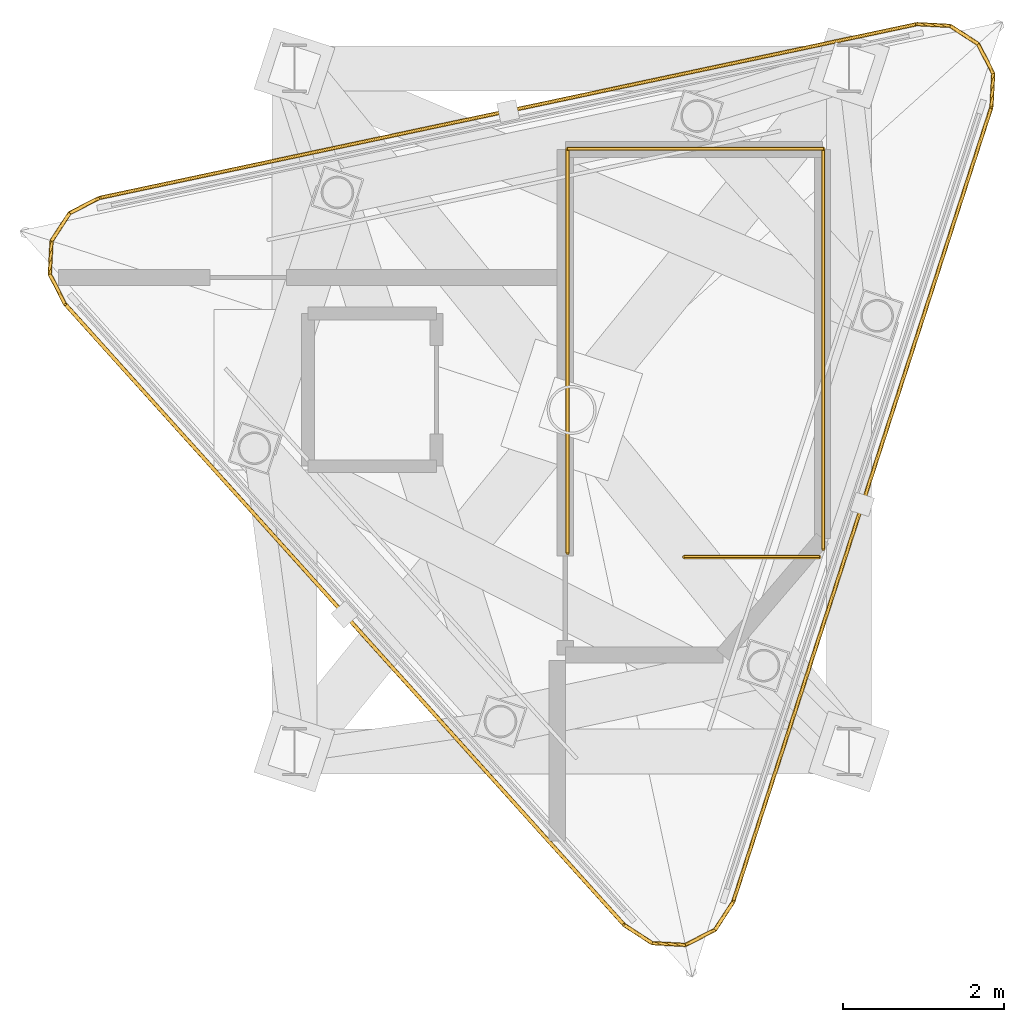
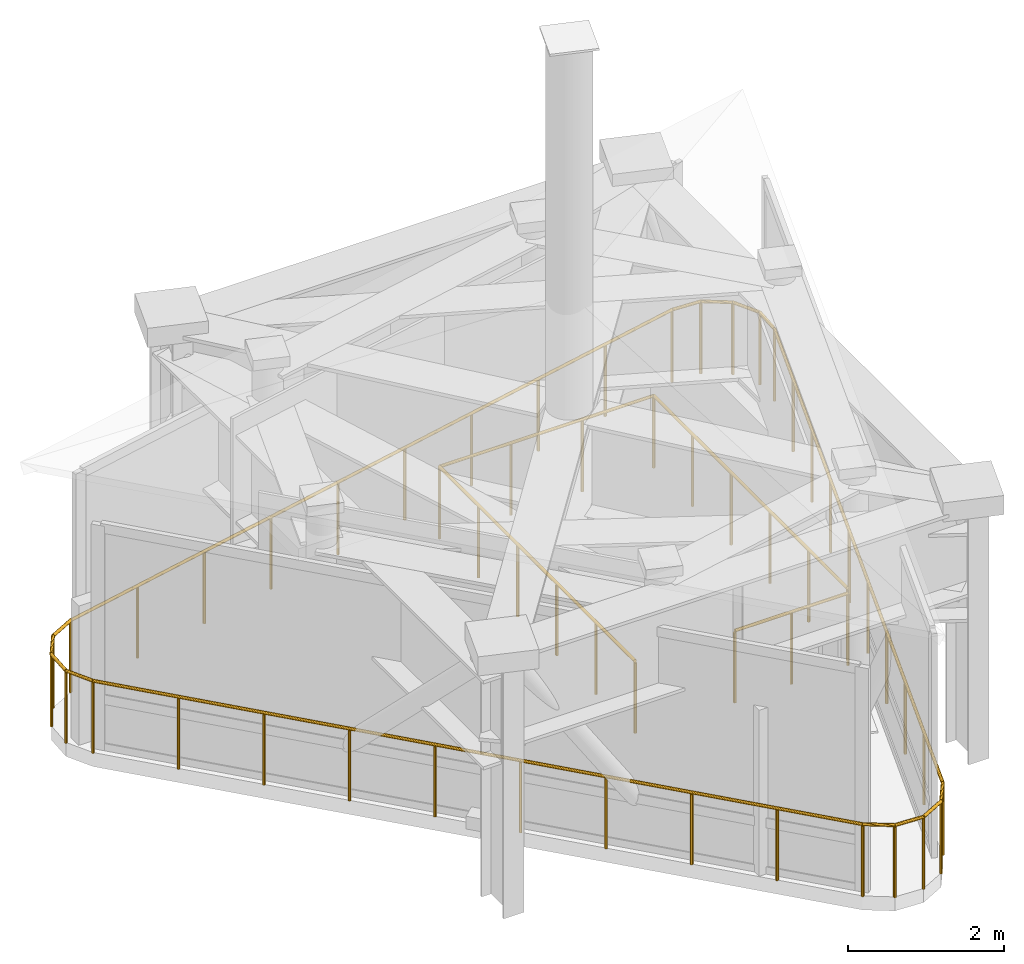
# One storey, part 3 of 3: 19 railings.
"""IFC4 building model written with IfcOpenShell, lengths in metres."""

from ifc_helpers import new_model, si_unit, direction, frame, origin, origin_2d, place, context, subcontext, project, spatial, circle, extrude, material, layer, layer_set, type_object, element, save


model = new_model("IFC4")

# Units and contexts
model_context = context("Model", 3, precision=1e-05, world=origin(), true_north=direction((0.0, 1.0)))
body_context = subcontext(model_context, "Body", "Model", "MODEL_VIEW")
ifc_project = project(units=[si_unit("LENGTHUNIT", "METRE"), si_unit("AREAUNIT", "SQUARE_METRE"), si_unit("VOLUMEUNIT", "CUBIC_METRE"), si_unit("PLANEANGLEUNIT", "RADIAN"), si_unit("MASSUNIT", "GRAM", prefix="KILO")], contexts=[model_context])

# Site, building, storey
site_placement = place(None, origin())
site = spatial("IfcSite", under=ifc_project, at=site_placement, CompositionType="ELEMENT")
building_placement = place(site_placement, origin())
building = spatial("IfcBuilding", under=site, at=building_placement, Name="Terralouvre Media Tower", CompositionType="ELEMENT")
storey_placement = place(building_placement, frame((0.0, 0.0, 339.199951171875)))
storey = spatial("IfcBuildingStorey", under=building, at=storey_placement, Name="L87", CompositionType="ELEMENT", Elevation=339.199951171875)

# Railings
ifc_material_1 = material(Name="Stainless steel 316 handrail and balustrade", Category="steel")
ifc_layer_1 = layer(ifc_material_1, 0.06005859375, Name="Roof Edge Safety Guardrail GR-ROOF1")
ifc_layer_set_1 = layer_set([ifc_layer_1], Name="Stainless steel 316 handrail and balustrade")
railing_type_1 = type_object("IfcRailingType", Name="Roof Edge Safety Guardrail GR-ROOF1", PredefinedType="GUARDRAIL", material=ifc_layer_set_1)
railing_1_placement = place(storey_placement, frame((0.65380859375, -6.408447265625, 0.0)))
element("IfcRailing", 1, at=railing_1_placement, inside=storey, type_object=railing_type_1, Name="L87 Crown Catwalk Safety Guardrail Edge 01", PredefinedType="GUARDRAIL", context=body_context, shape_type="SweptSolid", body=[
    extrude(circle(Radius=0.02392578125, at=origin_2d()), frame((0.0, 0.0, 1.1259765625), z_axis=(0.83869937431, -0.544594674535, 0.0), x_axis=(0.544594674535, 0.83869937431, 0.0)), (0.0, 0.0, 1.0), 0.414306640625),
    extrude(circle(Radius=0.02099609375, at=origin_2d()), origin(), (0.0, 0.0, 1.0), 1.101806640625),
    extrude(circle(Radius=0.02099609375, at=origin_2d()), frame((0.347412109375, -0.2255859375, 0.0)), (0.0, 0.0, 1.0), 1.101806640625),
])
railing_2_placement = place(storey_placement, frame((1.001220703125, -6.634033203125, 0.0)))
element("IfcRailing", 2, at=railing_2_placement, inside=storey, type_object=railing_type_1, Name="L87 Crown Catwalk Safety Guardrail Edge 02", PredefinedType="GUARDRAIL", context=body_context, shape_type="SweptSolid", body=[
    extrude(circle(Radius=0.02392578125, at=origin_2d()), frame((0.0, 0.0, 1.1259765625), z_axis=(0.998622710425, -0.05246601017, 0.0), x_axis=(0.05246601017, 0.998622710425, 0.0)), (0.0, 0.0, 1.0), 0.4140625),
    extrude(circle(Radius=0.02099609375, at=origin_2d()), origin(), (0.0, 0.0, 1.0), 1.101806640625),
    extrude(circle(Radius=0.02099609375, at=origin_2d()), frame((0.41357421875, -0.021728515625, 0.0)), (0.0, 0.0, 1.0), 1.101806640625),
])
railing_3_placement = place(storey_placement, frame((1.414794921875, -6.65576171875, 0.0)))
element("IfcRailing", 3, at=railing_3_placement, inside=storey, type_object=railing_type_1, Name="L87 Crown Catwalk Safety Guardrail Edge 03", PredefinedType="GUARDRAIL", context=body_context, shape_type="SweptSolid", body=[
    extrude(circle(Radius=0.02392578125, at=origin_2d()), frame((0.0, 0.0, 1.1259765625), z_axis=(0.890980989811, 0.454040610294, 0.0), x_axis=(-0.454040610294, 0.890980989811, 0.0)), (0.0, 0.0, 1.0), 0.4140625),
    extrude(circle(Radius=0.02099609375, at=origin_2d()), origin(), (0.0, 0.0, 1.0), 1.101806640625),
    extrude(circle(Radius=0.02099609375, at=origin_2d()), frame((0.368896484375, 0.18798828125, 0.0)), (0.0, 0.0, 1.0), 1.101806640625),
])
railing_4_placement = place(storey_placement, frame((1.78369140625, -6.4677734375, 0.0)))
element("IfcRailing", 4, at=railing_4_placement, inside=storey, type_object=railing_type_1, Name="L87 Crown Catwalk Safety Guardrail Edge 04", PredefinedType="GUARDRAIL", context=body_context, shape_type="SweptSolid", body=[
    extrude(circle(Radius=0.02392578125, at=origin_2d()), frame((0.0, 0.0, 1.1259765625), z_axis=(0.544594674535, 0.83869937431, 0.0), x_axis=(-0.83869937431, 0.544594674535, 0.0)), (0.0, 0.0, 1.0), 0.414306640625),
    extrude(circle(Radius=0.02099609375, at=origin_2d()), origin(), (0.0, 0.0, 1.0), 1.101806640625),
    extrude(circle(Radius=0.02099609375, at=origin_2d()), frame((0.2255859375, 0.347412109375, 0.0)), (0.0, 0.0, 1.0), 1.101806640625),
])
railing_5_placement = place(storey_placement, frame((2.00927734375, -6.120361328125, 0.0)))
element("IfcRailing", 5, at=railing_5_placement, inside=storey, type_object=railing_type_1, Name="L87 Crown Catwalk Safety Guardrail Edge 05", PredefinedType="GUARDRAIL", context=body_context, shape_type="SweptSolid", body=[
    extrude(circle(Radius=0.02392578125, at=origin_2d()), frame((0.0, 0.0, 1.1259765625), z_axis=(0.3090069794, 0.951059770299, 0.0), x_axis=(-0.951059770299, 0.3090069794, 0.0)), (0.0, 0.0, 1.0), 10.39990234375),
    extrude(circle(Radius=0.02099609375, at=origin_2d()), origin(), (0.0, 0.0, 1.0), 1.101806640625),
    extrude(circle(Radius=0.02099609375, at=origin_2d()), frame((0.357177734375, 1.098876953125, 0.0)), (0.0, 0.0, 1.0), 1.101806640625),
    extrude(circle(Radius=0.02099609375, at=origin_2d()), frame((0.714111328125, 2.197998046875, 0.0)), (0.0, 0.0, 1.0), 1.101806640625),
    extrude(circle(Radius=0.02099609375, at=origin_2d()), frame((1.0712890625, 3.296875, 0.0)), (0.0, 0.0, 1.0), 1.101806640625),
    extrude(circle(Radius=0.02099609375, at=origin_2d()), frame((1.42822265625, 4.39599609375, 0.0)), (0.0, 0.0, 1.0), 1.101806640625),
    extrude(circle(Radius=0.02099609375, at=origin_2d()), frame((1.785400390625, 5.494873046875, 0.0)), (0.0, 0.0, 1.0), 1.101806640625),
    extrude(circle(Radius=0.02099609375, at=origin_2d()), frame((2.142333984375, 6.593994140625, 0.0)), (0.0, 0.0, 1.0), 1.101806640625),
    extrude(circle(Radius=0.02099609375, at=origin_2d()), frame((2.49951171875, 7.69287109375, 0.0)), (0.0, 0.0, 1.0), 1.101806640625),
    extrude(circle(Radius=0.02099609375, at=origin_2d()), frame((2.8564453125, 8.7919921875, 0.0)), (0.0, 0.0, 1.0), 1.101806640625),
    extrude(circle(Radius=0.02099609375, at=origin_2d()), frame((3.213623046875, 9.890869140625, 0.0)), (0.0, 0.0, 1.0), 1.101806640625),
])
railing_6_placement = place(storey_placement, frame((5.222900390625, 3.7705078125, 0.0)))
element("IfcRailing", 6, at=railing_6_placement, inside=storey, type_object=railing_type_1, Name="L87 Crown Catwalk Safety Guardrail Edge 06", PredefinedType="GUARDRAIL", context=body_context, shape_type="SweptSolid", body=[
    extrude(circle(Radius=0.02392578125, at=origin_2d()), frame((0.0, 0.0, 1.1259765625), z_axis=(0.05246601017, 0.998622710425, 0.0), x_axis=(-0.998622710425, 0.05246601017, 0.0)), (0.0, 0.0, 1.0), 0.4140625),
    extrude(circle(Radius=0.02099609375, at=origin_2d()), origin(), (0.0, 0.0, 1.0), 1.101806640625),
    extrude(circle(Radius=0.02099609375, at=origin_2d()), frame((0.021728515625, 0.41357421875, 0.0)), (0.0, 0.0, 1.0), 1.101806640625),
])
railing_7_placement = place(storey_placement, frame((5.24462890625, 4.18408203125, 0.0)))
element("IfcRailing", 7, at=railing_7_placement, inside=storey, type_object=railing_type_1, Name="L87 Crown Catwalk Safety Guardrail Edge 07", PredefinedType="GUARDRAIL", context=body_context, shape_type="SweptSolid", body=[
    extrude(circle(Radius=0.02392578125, at=origin_2d()), frame((0.0, 0.0, 1.1259765625), z_axis=(-0.454040610294, 0.890980989811, 0.0), x_axis=(-0.890980989811, -0.454040610294, 0.0)), (0.0, 0.0, 1.0), 0.4140625),
    extrude(circle(Radius=0.02099609375, at=origin_2d()), origin(), (0.0, 0.0, 1.0), 1.101806640625),
    extrude(circle(Radius=0.02099609375, at=origin_2d()), frame((-0.18798828125, 0.368896484375, 0.0)), (0.0, 0.0, 1.0), 1.101806640625),
])
railing_8_placement = place(storey_placement, frame((5.056640625, 4.552978515625, 0.0)))
element("IfcRailing", 8, at=railing_8_placement, inside=storey, type_object=railing_type_1, Name="L87 Crown Catwalk Safety Guardrail Edge 08", PredefinedType="GUARDRAIL", context=body_context, shape_type="SweptSolid", body=[
    extrude(circle(Radius=0.02392578125, at=origin_2d()), frame((0.0, 0.0, 1.1259765625), z_axis=(-0.838524441896, 0.544863983342, 0.0), x_axis=(-0.544863983342, -0.838524441896, 0.0)), (0.0, 0.0, 1.0), 0.4140625),
    extrude(circle(Radius=0.02099609375, at=origin_2d()), origin(), (0.0, 0.0, 1.0), 1.101806640625),
    extrude(circle(Radius=0.02099609375, at=origin_2d()), frame((-0.34716796875, 0.2255859375, 0.0)), (0.0, 0.0, 1.0), 1.101806640625),
])
railing_9_placement = place(storey_placement, frame((4.70947265625, 4.778564453125, 0.0)))
element("IfcRailing", 9, at=railing_9_placement, inside=storey, type_object=railing_type_1, Name="L87 Crown Catwalk Safety Guardrail Edge 09", PredefinedType="GUARDRAIL", context=body_context, shape_type="SweptSolid", body=[
    extrude(circle(Radius=0.02392578125, at=origin_2d()), frame((0.0, 0.0, 1.1259765625), z_axis=(-0.998622710425, 0.05246601017, 0.0), x_axis=(-0.05246601017, -0.998622710425, 0.0)), (0.0, 0.0, 1.0), 0.4140625),
    extrude(circle(Radius=0.02099609375, at=origin_2d()), origin(), (0.0, 0.0, 1.0), 1.101806640625),
    extrude(circle(Radius=0.02099609375, at=origin_2d()), frame((-0.41357421875, 0.021728515625, 0.0)), (0.0, 0.0, 1.0), 1.101806640625),
])
railing_10_placement = place(storey_placement, frame((4.2958984375, 4.80029296875, 0.0)))
element("IfcRailing", 10, at=railing_10_placement, inside=storey, type_object=railing_type_1, Name="L87 Crown Catwalk Safety Guardrail Edge 10", PredefinedType="GUARDRAIL", context=body_context, shape_type="SweptSolid", body=[
    extrude(circle(Radius=0.02392578125, at=origin_2d()), frame((0.0, 0.0, 1.1259765625), z_axis=(-0.978146678438, -0.207916029829, 0.0), x_axis=(0.207916029829, -0.978146678438, 0.0)), (0.0, 0.0, 1.0), 10.400146484375),
    extrude(circle(Radius=0.02099609375, at=origin_2d()), origin(), (0.0, 0.0, 1.0), 1.101806640625),
    extrude(circle(Radius=0.02099609375, at=origin_2d()), frame((-1.13037109375, -0.240234375, 0.0)), (0.0, 0.0, 1.0), 1.101806640625),
    extrude(circle(Radius=0.02099609375, at=origin_2d()), frame((-2.2607421875, -0.48046875, 0.0)), (0.0, 0.0, 1.0), 1.101806640625),
    extrude(circle(Radius=0.02099609375, at=origin_2d()), frame((-3.390869140625, -0.720703125, 0.0)), (0.0, 0.0, 1.0), 1.101806640625),
    extrude(circle(Radius=0.02099609375, at=origin_2d()), frame((-4.521240234375, -0.9609375, 0.0)), (0.0, 0.0, 1.0), 1.101806640625),
    extrude(circle(Radius=0.02099609375, at=origin_2d()), frame((-5.651611328125, -1.201416015625, 0.0)), (0.0, 0.0, 1.0), 1.101806640625),
    extrude(circle(Radius=0.02099609375, at=origin_2d()), frame((-6.781982421875, -1.441650390625, 0.0)), (0.0, 0.0, 1.0), 1.101806640625),
    extrude(circle(Radius=0.02099609375, at=origin_2d()), frame((-7.912109375, -1.681884765625, 0.0)), (0.0, 0.0, 1.0), 1.101806640625),
    extrude(circle(Radius=0.02099609375, at=origin_2d()), frame((-9.04248046875, -1.922119140625, 0.0)), (0.0, 0.0, 1.0), 1.101806640625),
    extrude(circle(Radius=0.02099609375, at=origin_2d()), frame((-10.1728515625, -2.162353515625, 0.0)), (0.0, 0.0, 1.0), 1.101806640625),
])
railing_11_placement = place(storey_placement, frame((-5.876953125, 2.637939453125, 0.0)))
element("IfcRailing", 11, at=railing_11_placement, inside=storey, type_object=railing_type_1, Name="L87 Crown Catwalk Safety Guardrail Edge 11", PredefinedType="GUARDRAIL", context=body_context, shape_type="SweptSolid", body=[
    extrude(circle(Radius=0.02392578125, at=origin_2d()), frame((0.0, 0.0, 1.1259765625), z_axis=(-0.890980989811, -0.454040610294, 0.0), x_axis=(0.454040610294, -0.890980989811, 0.0)), (0.0, 0.0, 1.0), 0.4140625),
    extrude(circle(Radius=0.02099609375, at=origin_2d()), origin(), (0.0, 0.0, 1.0), 1.101806640625),
    extrude(circle(Radius=0.02099609375, at=origin_2d()), frame((-0.368896484375, -0.18798828125, 0.0)), (0.0, 0.0, 1.0), 1.101806640625),
])
railing_12_placement = place(storey_placement, frame((-6.245849609375, 2.449951171875, 0.0)))
element("IfcRailing", 12, at=railing_12_placement, inside=storey, type_object=railing_type_1, Name="L87 Crown Catwalk Safety Guardrail Edge 12", PredefinedType="GUARDRAIL", context=body_context, shape_type="SweptSolid", body=[
    extrude(circle(Radius=0.02392578125, at=origin_2d()), frame((0.0, 0.0, 1.1259765625), z_axis=(-0.544863983342, -0.838524441896, 0.0), x_axis=(0.838524441896, -0.544863983342, 0.0)), (0.0, 0.0, 1.0), 0.4140625),
    extrude(circle(Radius=0.02099609375, at=origin_2d()), origin(), (0.0, 0.0, 1.0), 1.101806640625),
    extrude(circle(Radius=0.02099609375, at=origin_2d()), frame((-0.2255859375, -0.34716796875, 0.0)), (0.0, 0.0, 1.0), 1.101806640625),
])
railing_13_placement = place(storey_placement, frame((-6.471435546875, 2.102783203125, 0.0)))
element("IfcRailing", 13, at=railing_13_placement, inside=storey, type_object=railing_type_1, Name="L87 Crown Catwalk Safety Guardrail Edge 13", PredefinedType="GUARDRAIL", context=body_context, shape_type="SweptSolid", body=[
    extrude(circle(Radius=0.02392578125, at=origin_2d()), frame((0.0, 0.0, 1.1259765625), z_axis=(-0.05246601017, -0.998622710425, 0.0), x_axis=(0.998622710425, -0.05246601017, 0.0)), (0.0, 0.0, 1.0), 0.4140625),
    extrude(circle(Radius=0.02099609375, at=origin_2d()), origin(), (0.0, 0.0, 1.0), 1.101806640625),
    extrude(circle(Radius=0.02099609375, at=origin_2d()), frame((-0.021728515625, -0.41357421875, 0.0)), (0.0, 0.0, 1.0), 1.101806640625),
])
railing_14_placement = place(storey_placement, frame((-6.4931640625, 1.689208984375, 0.0)))
element("IfcRailing", 14, at=railing_14_placement, inside=storey, type_object=railing_type_1, Name="L87 Crown Catwalk Safety Guardrail Edge 14", PredefinedType="GUARDRAIL", context=body_context, shape_type="SweptSolid", body=[
    extrude(circle(Radius=0.02392578125, at=origin_2d()), frame((0.0, 0.0, 1.1259765625), z_axis=(0.453802176068, -0.891102454825, 0.0), x_axis=(0.891102454825, 0.453802176068, 0.0)), (0.0, 0.0, 1.0), 0.414306640625),
    extrude(circle(Radius=0.02099609375, at=origin_2d()), origin(), (0.0, 0.0, 1.0), 1.101806640625),
    extrude(circle(Radius=0.02099609375, at=origin_2d()), frame((0.18798828125, -0.369140625, 0.0)), (0.0, 0.0, 1.0), 1.101806640625),
])
railing_15_placement = place(storey_placement, frame((-6.30517578125, 1.320068359375, 0.0)))
element("IfcRailing", 15, at=railing_15_placement, inside=storey, type_object=railing_type_1, Name="L87 Crown Catwalk Safety Guardrail Edge 15", PredefinedType="GUARDRAIL", context=body_context, shape_type="SweptSolid", body=[
    extrude(circle(Radius=0.02392578125, at=origin_2d()), frame((0.0, 0.0, 1.1259765625), z_axis=(0.669141102084, -0.74313537495, 0.0), x_axis=(0.74313537495, 0.669141102084, 0.0)), (0.0, 0.0, 1.0), 10.39990234375),
    extrude(circle(Radius=0.02099609375, at=origin_2d()), origin(), (0.0, 0.0, 1.0), 1.101806640625),
    extrude(circle(Radius=0.02099609375, at=origin_2d()), frame((0.773193359375, -0.858642578125, 0.0)), (0.0, 0.0, 1.0), 1.101806640625),
    extrude(circle(Radius=0.02099609375, at=origin_2d()), frame((1.54638671875, -1.717529296875, 0.0)), (0.0, 0.0, 1.0), 1.101806640625),
    extrude(circle(Radius=0.02099609375, at=origin_2d()), frame((2.319580078125, -2.576171875, 0.0)), (0.0, 0.0, 1.0), 1.101806640625),
    extrude(circle(Radius=0.02099609375, at=origin_2d()), frame((3.0927734375, -3.434814453125, 0.0)), (0.0, 0.0, 1.0), 1.101806640625),
    extrude(circle(Radius=0.02099609375, at=origin_2d()), frame((3.8662109375, -4.293701171875, 0.0)), (0.0, 0.0, 1.0), 1.101806640625),
    extrude(circle(Radius=0.02099609375, at=origin_2d()), frame((4.639404296875, -5.15234375, 0.0)), (0.0, 0.0, 1.0), 1.101806640625),
    extrude(circle(Radius=0.02099609375, at=origin_2d()), frame((5.41259765625, -6.010986328125, 0.0)), (0.0, 0.0, 1.0), 1.101806640625),
    extrude(circle(Radius=0.02099609375, at=origin_2d()), frame((6.185791015625, -6.869873046875, 0.0)), (0.0, 0.0, 1.0), 1.101806640625),
    extrude(circle(Radius=0.02099609375, at=origin_2d()), frame((6.958984375, -7.728515625, 0.0)), (0.0, 0.0, 1.0), 1.101806640625),
])
ifc_material_2 = material(Name="Stainless steel 316 handrail and balustrade", Category="steel")
ifc_layer_2 = layer(ifc_material_2, 0.050048828125, Name="Stairwell Safety Guardrail GR-INT1")
ifc_layer_set_2 = layer_set([ifc_layer_2], Name="Stainless steel 316 handrail and balustrade")
railing_type_2 = type_object("IfcRailingType", Name="Stairwell Safety Guardrail GR-INT1", PredefinedType="GUARDRAIL", material=ifc_layer_set_2)
railing_16_placement = place(storey_placement, frame((3.080078125, -1.830078125, 0.0)))
element("IfcRailing", 16, at=railing_16_placement, inside=storey, type_object=railing_type_2, Name="L87 ST-05 top well guard 1", PredefinedType="GUARDRAIL", context=body_context, shape_type="SweptSolid", body=[
    extrude(circle(Radius=0.02392578125, at=origin_2d()), frame((0.0, 0.0, 1.1259765625), z_axis=(-1.0, 0.0, 0.0), x_axis=(0.0, -1.0, 0.0)), (0.0, 0.0, 1.0), 1.68017578125),
    extrude(circle(Radius=0.02099609375, at=origin_2d()), origin(), (0.0, 0.0, 1.0), 1.101806640625),
    extrude(circle(Radius=0.02099609375, at=origin_2d()), frame((-0.840087890625, 0.0, 0.0)), (0.0, 0.0, 1.0), 1.101806640625),
    extrude(circle(Radius=0.02099609375, at=origin_2d()), frame((-1.68017578125, 0.0, 0.0)), (0.0, 0.0, 1.0), 1.101806640625),
])
railing_17_placement = place(storey_placement, frame((-0.050048828125, -1.780029296875, 0.0)))
element("IfcRailing", 17, at=railing_17_placement, inside=storey, type_object=railing_type_2, Name="L87 ST-05 Floor Well West Guardrail", PredefinedType="GUARDRAIL", context=body_context, shape_type="SweptSolid", body=[
    extrude(circle(Radius=0.02392578125, at=origin_2d()), frame((0.0, 0.0, 1.1259765625), z_axis=(0.0, 1.0, 0.0), x_axis=(-1.0, 0.0, 0.0)), (0.0, 0.0, 1.0), 5.030029296875),
    extrude(circle(Radius=0.02099609375, at=origin_2d()), origin(), (0.0, 0.0, 1.0), 1.101806640625),
    extrude(circle(Radius=0.02099609375, at=origin_2d()), frame((0.0, 1.006103515625, 0.0)), (0.0, 0.0, 1.0), 1.101806640625),
    extrude(circle(Radius=0.02099609375, at=origin_2d()), frame((0.0, 2.011962890625, 0.0)), (0.0, 0.0, 1.0), 1.101806640625),
    extrude(circle(Radius=0.02099609375, at=origin_2d()), frame((0.0, 3.01806640625, 0.0)), (0.0, 0.0, 1.0), 1.101806640625),
    extrude(circle(Radius=0.02099609375, at=origin_2d()), frame((0.0, 4.02392578125, 0.0)), (0.0, 0.0, 1.0), 1.101806640625),
    extrude(circle(Radius=0.02099609375, at=origin_2d()), frame((0.0, 5.030029296875, 0.0)), (0.0, 0.0, 1.0), 1.101806640625),
])
railing_18_placement = place(storey_placement, frame((-0.050048828125, 3.25, 0.0)))
element("IfcRailing", 18, at=railing_18_placement, inside=storey, type_object=railing_type_2, Name="L87 ST-05 Floor Well North Guardrail", PredefinedType="GUARDRAIL", context=body_context, shape_type="SweptSolid", body=[
    extrude(circle(Radius=0.02392578125, at=origin_2d()), frame((0.0, 0.0, 1.1259765625), z_axis=(1.0, 0.0, 0.0), x_axis=(0.0, 1.0, 0.0)), (0.0, 0.0, 1.0), 3.179931640625),
    extrude(circle(Radius=0.02099609375, at=origin_2d()), origin(), (0.0, 0.0, 1.0), 1.101806640625),
    extrude(circle(Radius=0.02099609375, at=origin_2d()), frame((1.06005859375, 0.0, 0.0)), (0.0, 0.0, 1.0), 1.101806640625),
    extrude(circle(Radius=0.02099609375, at=origin_2d()), frame((2.119873046875, 0.0, 0.0)), (0.0, 0.0, 1.0), 1.101806640625),
    extrude(circle(Radius=0.02099609375, at=origin_2d()), frame((3.179931640625, 0.0, 0.0)), (0.0, 0.0, 1.0), 1.101806640625),
])
railing_19_placement = place(storey_placement, frame((3.1298828125, -1.72998046875, 0.0)))
element("IfcRailing", 19, at=railing_19_placement, inside=storey, type_object=railing_type_2, Name="L87 ST-05 Floor Well East Guardrail", PredefinedType="GUARDRAIL", context=body_context, shape_type="SweptSolid", body=[
    extrude(circle(Radius=0.02392578125, at=origin_2d()), frame((0.0, 0.0, 1.1259765625), z_axis=(0.0, 1.0, 0.0), x_axis=(-1.0, 0.0, 0.0)), (0.0, 0.0, 1.0), 4.97998046875),
    extrude(circle(Radius=0.02099609375, at=origin_2d()), origin(), (0.0, 0.0, 1.0), 1.101806640625),
    extrude(circle(Radius=0.02099609375, at=origin_2d()), frame((0.0, 0.99609375, 0.0)), (0.0, 0.0, 1.0), 1.101806640625),
    extrude(circle(Radius=0.02099609375, at=origin_2d()), frame((0.0, 1.991943359375, 0.0)), (0.0, 0.0, 1.0), 1.101806640625),
    extrude(circle(Radius=0.02099609375, at=origin_2d()), frame((0.0, 2.988037109375, 0.0)), (0.0, 0.0, 1.0), 1.101806640625),
    extrude(circle(Radius=0.02099609375, at=origin_2d()), frame((0.0, 3.98388671875, 0.0)), (0.0, 0.0, 1.0), 1.101806640625),
    extrude(circle(Radius=0.02099609375, at=origin_2d()), frame((0.0, 4.97998046875, 0.0)), (0.0, 0.0, 1.0), 1.101806640625),
])

save(model, "model.ifc")
